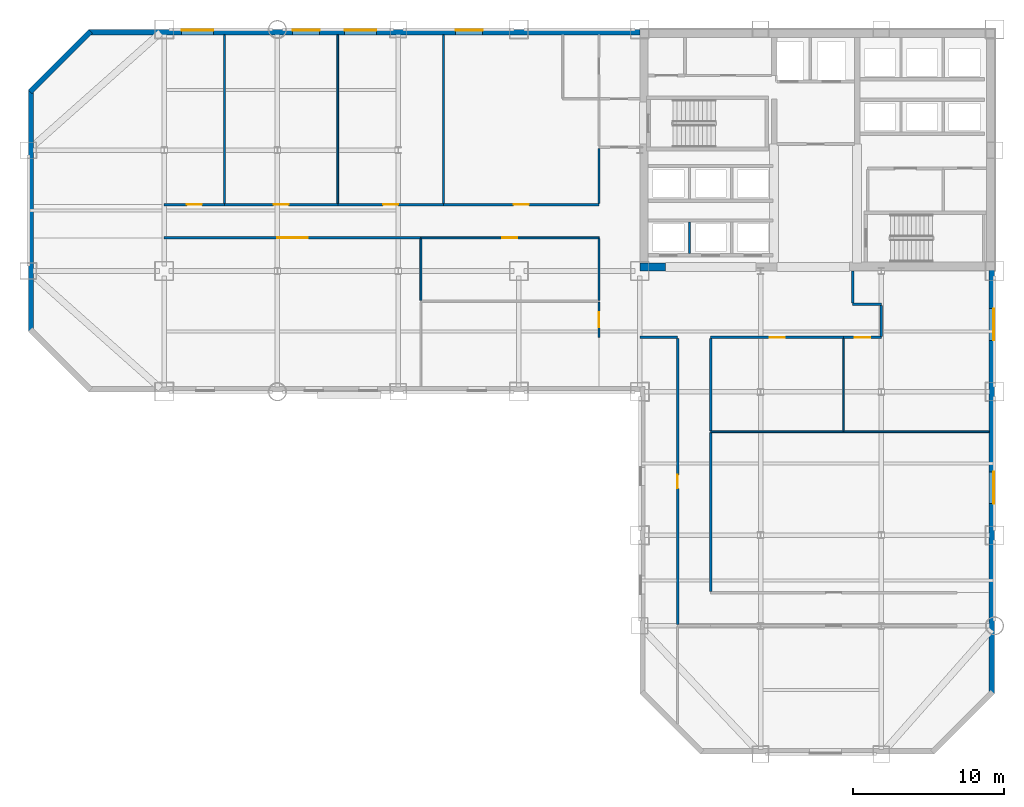
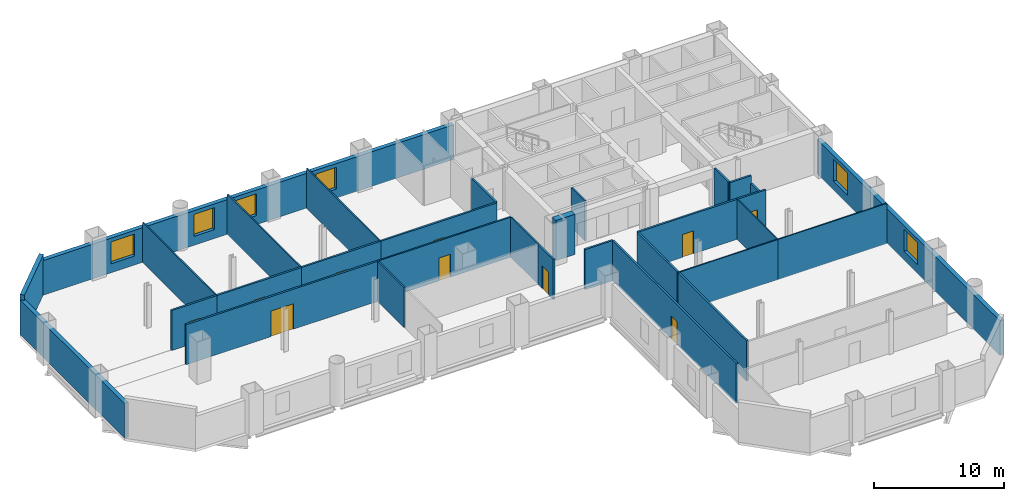
# One storey, part 5 of 9: 31 walls, 10 doors, 6 windows, 16 openings.
"""IFC4 building model written with IfcOpenShell, lengths in metres."""

from ifc_helpers import new_model, si_unit, direction, frame, frame_2d, origin, place, context, subcontext, project, spatial, rectangle, extrude, material, layer, layer_set, type_object, element, fill, save


model = new_model("IFC4")

# Units and contexts
model_context = context("Model", 3, precision=1e-05, world=origin(), true_north=direction((0.0, 1.0)))
body_context = subcontext(model_context, "Body", "Model", "MODEL_VIEW")
ifc_project = project(units=[si_unit("LENGTHUNIT", "METRE"), si_unit("AREAUNIT", "SQUARE_METRE"), si_unit("VOLUMEUNIT", "CUBIC_METRE"), si_unit("PLANEANGLEUNIT", "RADIAN"), si_unit("MASSUNIT", "GRAM", prefix="KILO")], contexts=[model_context])

# Site, building, storey
site_placement = place(None, origin())
site = spatial("IfcSite", under=ifc_project, at=site_placement, CompositionType="ELEMENT")
building_placement = place(site_placement, origin())
building = spatial("IfcBuilding", under=site, at=building_placement, Name="Qianrong Seaharbour Tower", CompositionType="ELEMENT")
storey_placement = place(building_placement, frame((0.0, 0.0, 80.199951171875)))
storey = spatial("IfcBuildingStorey", under=building, at=storey_placement, Name="L19", CompositionType="ELEMENT", Elevation=80.199951171875)

# Wall
ifc_material_1 = material(Name="Concrete C70/85", Category="concrete")
ifc_layer_1 = layer(ifc_material_1, 0.5400390625)
ifc_layer_set_1 = layer_set([ifc_layer_1], Name="Concrete C70/85")
wall_type_1 = type_object("IfcWallType", Name="WALL-CORE-540", PredefinedType="SHEAR", material=ifc_layer_set_1)
wall_1_placement = place(storey_placement, frame((40.5, 36.27001953125, 0.0), z_axis=(0.0, 0.0, 1.0), x_axis=(1.0, 0.0, 0.0)))
element("IfcWall", 1, at=wall_1_placement, inside=storey, type_object=wall_type_1, Name="L19 South Core Shear Wall S1", PredefinedType="SHEAR", context=body_context, shape_type="SweptSolid", body=[
    extrude(rectangle(XDim=1.699951171875, YDim=0.5400390625, at=frame_2d((0.85009765625, 0.0))), origin(), (0.0, 0.0, 1.0), 3.75),
])

# Wall, opening, door
ifc_material_2 = material(Name="Fire-rated acoustic gypsum board partition")
ifc_layer_2 = layer(ifc_material_2, 0.1650390625)
ifc_layer_set_2 = layer_set([ifc_layer_2], Name="Fire-rated acoustic gypsum board partition")
wall_type_2 = type_object("IfcWallType", Name="WALL-CORR-PART-165", PredefinedType="PARTITIONING", material=ifc_layer_set_2)
wall_2_placement = place(storey_placement, frame((9.0, 40.39990234375, 0.0), z_axis=(0.0, 0.0, 1.0), x_axis=(1.0, 0.0, 0.0)))
wall_2 = element("IfcWall", 2, at=wall_2_placement, inside=storey, type_object=wall_type_2, Name="L19 Interior Partition Wall 015", PredefinedType="PARTITIONING", context=body_context, shape_type="SweptSolid", body=[
    extrude(rectangle(XDim=4.0, YDim=0.1650390625, at=frame_2d((2.0, 0.0))), origin(), (0.0, 0.0, 1.0), 3.75),
])
opening_1_placement = place(wall_2_placement, frame((1.5, 0.0, 0.0)))
opening_1 = element("IfcOpeningElement", 3, at=opening_1_placement, cuts=wall_2, Name="Opening DO-01", PredefinedType="OPENING", context=body_context, shape_type="SweptSolid", body=[
    extrude(rectangle(XDim=1.0, YDim=2.14990234375, at=frame_2d((0.5, 1.074951171875))), frame((0.0, 0.092529296875, 0.0), z_axis=(0.0, -1.0, 0.0), x_axis=(1.0, 0.0, 0.0)), (0.0, 0.0, 1.0), 0.18505859375),
])
ifc_material_3 = material(Name="Acoustic timber and galvanized steel fire door assembly", Category="steel")
door_type_1 = type_object("IfcDoorType", Name="DOOR-OFFICE-1000x2150", OperationType="NOTDEFINED", PredefinedType="DOOR", material=ifc_material_3)
door_1_placement = place(opening_1_placement, origin())
door_1 = element("IfcDoor", 4, at=door_1_placement, inside=storey, type_object=door_type_1, Name="L19 Occupational Health Clinic 1 Door", OperationType="SINGLE_SWING_LEFT", OverallHeight=2.14990234375, OverallWidth=1.0, PredefinedType="DOOR", context=body_context, shape_type="SweptSolid", body=[
    extrude(rectangle(XDim=1.0, YDim=2.14990234375, at=frame_2d((0.5, 1.074951171875))), frame((0.0, 0.02490234375, 0.0), z_axis=(0.0, -1.0, 0.0), x_axis=(1.0, 0.0, 0.0)), (0.0, 0.0, 1.0), 0.050048828125),
])
fill(opening_1, door_1)

wall_3_placement = place(storey_placement, frame((13.0, 40.39990234375, 0.0), z_axis=(0.0, 0.0, 1.0), x_axis=(1.0, 0.0, 0.0)))
wall_3 = element("IfcWall", 5, at=wall_3_placement, inside=storey, type_object=wall_type_2, Name="L19 Interior Partition Wall 016", PredefinedType="PARTITIONING", context=body_context, shape_type="SweptSolid", body=[
    extrude(rectangle(XDim=7.5, YDim=0.1650390625, at=frame_2d((3.75, 0.0))), origin(), (0.0, 0.0, 1.0), 3.75),
])
opening_2_placement = place(wall_3_placement, frame((3.25, 0.0, 0.0)))
opening_2 = element("IfcOpeningElement", 6, at=opening_2_placement, cuts=wall_3, Name="Opening DO-01", PredefinedType="OPENING", context=body_context, shape_type="SweptSolid", body=[
    extrude(rectangle(XDim=1.0, YDim=2.14990234375, at=frame_2d((0.5, 1.074951171875))), frame((0.0, 0.092529296875, 0.0), z_axis=(0.0, -1.0, 0.0), x_axis=(1.0, 0.0, 0.0)), (0.0, 0.0, 1.0), 0.18505859375),
])
door_2_placement = place(opening_2_placement, origin())
door_2 = element("IfcDoor", 7, at=door_2_placement, inside=storey, type_object=door_type_1, Name="L19 Physiotherapy Room 2 Door", OperationType="SINGLE_SWING_RIGHT", OverallHeight=2.14990234375, OverallWidth=1.0, PredefinedType="DOOR", context=body_context, shape_type="SweptSolid", body=[
    extrude(rectangle(XDim=1.0, YDim=2.14990234375, at=frame_2d((0.5, 1.074951171875))), frame((0.0, 0.02490234375, 0.0), z_axis=(0.0, -1.0, 0.0), x_axis=(1.0, 0.0, 0.0)), (0.0, 0.0, 1.0), 0.050048828125),
])
fill(opening_2, door_2)

wall_4_placement = place(storey_placement, frame((20.5, 40.39990234375, 0.0), z_axis=(0.0, 0.0, 1.0), x_axis=(1.0, 0.0, 0.0)))
wall_4 = element("IfcWall", 8, at=wall_4_placement, inside=storey, type_object=wall_type_2, Name="L19 Interior Partition Wall 017", PredefinedType="PARTITIONING", context=body_context, shape_type="SweptSolid", body=[
    extrude(rectangle(XDim=7.0, YDim=0.1650390625, at=frame_2d((3.5, 0.0))), origin(), (0.0, 0.0, 1.0), 3.75),
])
opening_3_placement = place(wall_4_placement, frame((3.0, 0.0, 0.0)))
opening_3 = element("IfcOpeningElement", 9, at=opening_3_placement, cuts=wall_4, Name="Opening DO-01", PredefinedType="OPENING", context=body_context, shape_type="SweptSolid", body=[
    extrude(rectangle(XDim=1.0, YDim=2.14990234375, at=frame_2d((0.5, 1.074951171875))), frame((0.0, 0.092529296875, 0.0), z_axis=(0.0, -1.0, 0.0), x_axis=(1.0, 0.0, 0.0)), (0.0, 0.0, 1.0), 0.18505859375),
])
door_3_placement = place(opening_3_placement, origin())
door_3 = element("IfcDoor", 10, at=door_3_placement, inside=storey, type_object=door_type_1, Name="L19 First Aid Nursing Room 3 Door", OperationType="SINGLE_SWING_LEFT", OverallHeight=2.14990234375, OverallWidth=1.0, PredefinedType="DOOR", context=body_context, shape_type="SweptSolid", body=[
    extrude(rectangle(XDim=1.0, YDim=2.14990234375, at=frame_2d((0.5, 1.074951171875))), frame((0.0, 0.02490234375, 0.0), z_axis=(0.0, -1.0, 0.0), x_axis=(1.0, 0.0, 0.0)), (0.0, 0.0, 1.0), 0.050048828125),
])
fill(opening_3, door_3)

wall_5_placement = place(storey_placement, frame((27.5, 40.39990234375, 0.0), z_axis=(0.0, 0.0, 1.0), x_axis=(1.0, 0.0, 0.0)))
wall_5 = element("IfcWall", 11, at=wall_5_placement, inside=storey, type_object=wall_type_2, Name="L19 Interior Partition Wall 018", PredefinedType="PARTITIONING", context=body_context, shape_type="SweptSolid", body=[
    extrude(rectangle(XDim=10.300048828125, YDim=0.1650390625, at=frame_2d((5.14990234375, 0.0))), origin(), (0.0, 0.0, 1.0), 3.75),
])
opening_4_placement = place(wall_5_placement, frame((4.64990234375, 0.0, 0.0)))
opening_4 = element("IfcOpeningElement", 12, at=opening_4_placement, cuts=wall_5, Name="Opening DO-01", PredefinedType="OPENING", context=body_context, shape_type="SweptSolid", body=[
    extrude(rectangle(XDim=1.0, YDim=2.14990234375, at=frame_2d((0.5, 1.074951171875))), frame((0.0, 0.092529296875, 0.0), z_axis=(0.0, -1.0, 0.0), x_axis=(1.0, 0.0, 0.0)), (0.0, 0.0, 1.0), 0.18505859375),
])
door_4_placement = place(opening_4_placement, origin())
door_4 = element("IfcDoor", 13, at=door_4_placement, inside=storey, type_object=door_type_1, Name="L19 Case Coordinator Office 4 Door", OperationType="SINGLE_SWING_RIGHT", OverallHeight=2.14990234375, OverallWidth=1.0, PredefinedType="DOOR", context=body_context, shape_type="SweptSolid", body=[
    extrude(rectangle(XDim=1.0, YDim=2.14990234375, at=frame_2d((0.5, 1.074951171875))), frame((0.0, 0.02490234375, 0.0), z_axis=(0.0, -1.0, 0.0), x_axis=(1.0, 0.0, 0.0)), (0.0, 0.0, 1.0), 0.050048828125),
])
fill(opening_4, door_4)

wall_6_placement = place(storey_placement, frame((26.0, 38.199951171875, 0.0), z_axis=(0.0, 0.0, 1.0), x_axis=(-1.0, 0.0, 0.0)))
wall_6 = element("IfcWall", 14, at=wall_6_placement, inside=storey, type_object=wall_type_2, Name="L19 Interior Partition Wall 019", PredefinedType="PARTITIONING", context=body_context, shape_type="SweptSolid", body=[
    extrude(rectangle(XDim=17.0, YDim=0.1650390625, at=frame_2d((8.5, 0.0))), origin(), (0.0, 0.0, 1.0), 3.75),
])
opening_5_placement = place(wall_6_placement, frame((7.5, 0.0, 0.0)))
opening_5 = element("IfcOpeningElement", 15, at=opening_5_placement, cuts=wall_6, Name="Opening DA-01", PredefinedType="OPENING", context=body_context, shape_type="SweptSolid", body=[
    extrude(rectangle(XDim=2.0, YDim=2.39990234375, at=frame_2d((1.0, 1.199951171875))), frame((0.0, 0.092529296875, 0.0), z_axis=(0.0, -1.0, 0.0), x_axis=(1.0, 0.0, 0.0)), (0.0, 0.0, 1.0), 0.18505859375),
])
door_type_2 = type_object("IfcDoorType", Name="DOOR-AUD-PAIR-2000x2400", OperationType="DOUBLE_DOOR_SINGLE_SWING", PredefinedType="DOOR", material=ifc_material_3)
door_5_placement = place(opening_5_placement, origin())
door_5 = element("IfcDoor", 16, at=door_5_placement, inside=storey, type_object=door_type_2, Name="L19 Wellness Exercise Hall Door", OperationType="DOUBLE_DOOR_SINGLE_SWING", OverallHeight=2.39990234375, OverallWidth=2.0, PredefinedType="DOOR", context=body_context, shape_type="SweptSolid", body=[
    extrude(rectangle(XDim=2.0, YDim=2.39990234375, at=frame_2d((1.0, 1.199951171875))), frame((0.0, 0.02490234375, 0.0), z_axis=(0.0, -1.0, 0.0), x_axis=(1.0, 0.0, 0.0)), (0.0, 0.0, 1.0), 0.050048828125),
])
fill(opening_5, door_5)

# Wall
wall_7_placement = place(storey_placement, frame((37.800048828125, 40.474609375, 0.0), z_axis=(0.0, 0.0, 1.0), x_axis=(0.0, 1.0, 0.0)))
element("IfcWall", 17, at=wall_7_placement, inside=storey, type_object=wall_type_2, Name="L19 Interior Partition Wall 021", PredefinedType="PARTITIONING", context=body_context, shape_type="SweptSolid", body=[
    extrude(rectangle(XDim=3.65087890625, YDim=0.1650390625, at=frame_2d((1.825439453125, 0.0))), origin(), (0.0, 0.0, 1.0), 3.75),
])

# Wall, opening, door
wall_8_placement = place(storey_placement, frame((37.800048828125, 31.60009765625, 0.0), z_axis=(0.0, 0.0, 1.0), x_axis=(0.0, 1.0, 0.0)))
wall_8 = element("IfcWall", 18, at=wall_8_placement, inside=storey, type_object=wall_type_2, Name="L19 Interior Partition Wall 022", PredefinedType="PARTITIONING", context=body_context, shape_type="SweptSolid", body=[
    extrude(rectangle(XDim=2.343017578125, YDim=0.1650390625, at=frame_2d((1.17138671875, 0.0))), origin(), (0.0, 0.0, 1.0), 3.75),
])
opening_6_placement = place(wall_8_placement, frame((0.67138671875, 0.0, 0.0)))
opening_6 = element("IfcOpeningElement", 19, at=opening_6_placement, cuts=wall_8, Name="Opening DO-01", PredefinedType="OPENING", context=body_context, shape_type="SweptSolid", body=[
    extrude(rectangle(XDim=1.0, YDim=2.14990234375, at=frame_2d((0.5, 1.074951171875))), frame((0.0, 0.092529296875, 0.0), z_axis=(0.0, -1.0, 0.0), x_axis=(1.0, 0.0, 0.0)), (0.0, 0.0, 1.0), 0.18505859375),
])
door_6_placement = place(opening_6_placement, origin())
door_6 = element("IfcDoor", 20, at=door_6_placement, inside=storey, type_object=door_type_1, Name="L19 Medical Examination Room 1 Door", OperationType="SINGLE_SWING_LEFT", OverallHeight=2.14990234375, OverallWidth=1.0, PredefinedType="DOOR", context=body_context, shape_type="SweptSolid", body=[
    extrude(rectangle(XDim=1.0, YDim=2.14990234375, at=frame_2d((0.5, 1.074951171875))), frame((0.0, 0.02490234375, 0.0), z_axis=(0.0, -1.0, 0.0), x_axis=(1.0, 0.0, 0.0)), (0.0, 0.0, 1.0), 0.050048828125),
])
fill(opening_6, door_6)

wall_9_placement = place(storey_placement, frame((54.0, 31.60009765625, 0.0), z_axis=(0.0, 0.0, 1.0), x_axis=(-1.0, 0.0, 0.0)))
wall_9 = element("IfcWall", 21, at=wall_9_placement, inside=storey, type_object=wall_type_2, Name="L19 Interior Partition Wall 024", PredefinedType="PARTITIONING", context=body_context, shape_type="SweptSolid", body=[
    extrude(rectangle(XDim=8.800048828125, YDim=0.1650390625, at=frame_2d((4.39990234375, 0.0))), origin(), (0.0, 0.0, 1.0), 3.75),
])
opening_7_placement = place(wall_9_placement, frame((3.89990234375, 0.0, 0.0)))
opening_7 = element("IfcOpeningElement", 22, at=opening_7_placement, cuts=wall_9, Name="Opening DO-01", PredefinedType="OPENING", context=body_context, shape_type="SweptSolid", body=[
    extrude(rectangle(XDim=1.0, YDim=2.14990234375, at=frame_2d((0.5, 1.074951171875))), frame((0.0, 0.092529296875, 0.0), z_axis=(0.0, -1.0, 0.0), x_axis=(1.0, 0.0, 0.0)), (0.0, 0.0, 1.0), 0.18505859375),
])
door_7_placement = place(opening_7_placement, origin())
door_7 = element("IfcDoor", 23, at=door_7_placement, inside=storey, type_object=door_type_1, Name="L19 Wellness Room 1 Door", OperationType="SINGLE_SWING_LEFT", OverallHeight=2.14990234375, OverallWidth=1.0, PredefinedType="DOOR", context=body_context, shape_type="SweptSolid", body=[
    extrude(rectangle(XDim=1.0, YDim=2.14990234375, at=frame_2d((0.5, 1.074951171875))), frame((0.0, 0.02490234375, 0.0), z_axis=(0.0, -1.0, 0.0), x_axis=(1.0, 0.0, 0.0)), (0.0, 0.0, 1.0), 0.050048828125),
])
fill(opening_7, door_7)

# Walls
wall_10_placement = place(storey_placement, frame((54.60009765625, 36.0, 0.0), z_axis=(0.0, 0.0, 1.0), x_axis=(0.0, -1.0, 0.0)))
element("IfcWall", 24, at=wall_10_placement, inside=storey, type_object=wall_type_2, Name="L19 Interior Partition Wall 025", PredefinedType="PARTITIONING", context=body_context, shape_type="SweptSolid", body=[
    extrude(rectangle(XDim=2.12548828125, YDim=0.1650390625, at=frame_2d((1.062744140625, 0.0))), origin(), (0.0, 0.0, 1.0), 3.75),
])
wall_11_placement = place(storey_placement, frame((54.60009765625, 33.800048828125, 0.0), z_axis=(0.0, 0.0, 1.0), x_axis=(1.0, 0.0, 0.0)))
element("IfcWall", 25, at=wall_11_placement, inside=storey, type_object=wall_type_2, Name="L19 Interior Partition Wall 026", PredefinedType="PARTITIONING", context=body_context, shape_type="SweptSolid", body=[
    extrude(rectangle(XDim=1.89990234375, YDim=0.1650390625, at=frame_2d((0.949951171875, 0.0))), origin(), (0.0, 0.0, 1.0), 3.75),
])
wall_12_placement = place(storey_placement, frame((56.5, 33.7255859375, 0.0), z_axis=(0.0, 0.0, 1.0), x_axis=(0.0, -1.0, 0.0)))
element("IfcWall", 26, at=wall_12_placement, inside=storey, type_object=wall_type_2, Name="L19 Interior Partition Wall 027", PredefinedType="PARTITIONING", context=body_context, shape_type="SweptSolid", body=[
    extrude(rectangle(XDim=2.051025390625, YDim=0.1650390625, at=frame_2d((1.025390625, 0.0))), origin(), (0.0, 0.0, 1.0), 3.0419921875),
])

# Wall, opening, door
wall_13_placement = place(storey_placement, frame((56.5, 31.60009765625, 0.0), z_axis=(0.0, 0.0, 1.0), x_axis=(-1.0, 0.0, 0.0)))
wall_13 = element("IfcWall", 27, at=wall_13_placement, inside=storey, type_object=wall_type_2, Name="L19 Interior Partition Wall 028", PredefinedType="PARTITIONING", context=body_context, shape_type="SweptSolid", body=[
    extrude(rectangle(XDim=2.5, YDim=0.1650390625, at=frame_2d((1.25, 0.0))), origin(), (0.0, 0.0, 1.0), 3.75),
])
opening_8_placement = place(wall_13_placement, frame((0.75, 0.0, 0.0)))
opening_8 = element("IfcOpeningElement", 28, at=opening_8_placement, cuts=wall_13, Name="Opening DO-01", PredefinedType="OPENING", context=body_context, shape_type="SweptSolid", body=[
    extrude(rectangle(XDim=1.0, YDim=2.14990234375, at=frame_2d((0.5, 1.074951171875))), frame((0.0, 0.092529296875, 0.0), z_axis=(0.0, -1.0, 0.0), x_axis=(1.0, 0.0, 0.0)), (0.0, 0.0, 1.0), 0.18505859375),
])
door_8_placement = place(opening_8_placement, origin())
door_8 = element("IfcDoor", 29, at=door_8_placement, inside=storey, type_object=door_type_1, Name="L19 Health Director Office 2 Door", OperationType="SINGLE_SWING_RIGHT", OverallHeight=2.14990234375, OverallWidth=1.0, PredefinedType="DOOR", context=body_context, shape_type="SweptSolid", body=[
    extrude(rectangle(XDim=1.0, YDim=2.14990234375, at=frame_2d((0.5, 1.074951171875))), frame((0.0, 0.02490234375, 0.0), z_axis=(0.0, -1.0, 0.0), x_axis=(1.0, 0.0, 0.0)), (0.0, 0.0, 1.0), 0.050048828125),
])
fill(opening_8, door_8)

# Walls
wall_14_placement = place(storey_placement, frame((43.0, 31.60009765625, 0.0), z_axis=(0.0, 0.0, 1.0), x_axis=(-1.0, 0.0, 0.0)))
element("IfcWall", 30, at=wall_14_placement, inside=storey, type_object=wall_type_2, Name="L19 Interior Partition Wall 029", PredefinedType="PARTITIONING", context=body_context, shape_type="SweptSolid", body=[
    extrude(rectangle(XDim=2.5, YDim=0.1650390625, at=frame_2d((1.25, 0.0))), origin(), (0.0, 0.0, 1.0), 3.75),
])
wall_15_placement = place(storey_placement, frame((45.199951171875, 25.302978515625, 0.0), z_axis=(0.0, 0.0, 1.0), x_axis=(0.0, -1.0, 0.0)))
element("IfcWall", 31, at=wall_15_placement, inside=storey, type_object=wall_type_2, Name="L19 Interior Partition Wall 031", PredefinedType="PARTITIONING", context=body_context, shape_type="SweptSolid", body=[
    extrude(rectangle(XDim=10.528564453125, YDim=0.1650390625, at=frame_2d((5.26416015625, 0.0))), origin(), (0.0, 0.0, 1.0), 3.75),
])
wall_16_placement = place(storey_placement, frame((45.199951171875, 31.525390625, 0.0), z_axis=(0.0, 0.0, 1.0), x_axis=(0.0, -1.0, 0.0)))
element("IfcWall", 32, at=wall_16_placement, inside=storey, type_object=wall_type_2, Name="L19 Interior Partition Wall 032", PredefinedType="PARTITIONING", context=body_context, shape_type="SweptSolid", body=[
    extrude(rectangle(XDim=6.12841796875, YDim=0.1650390625, at=frame_2d((3.064208984375, 0.0))), origin(), (0.0, 0.0, 1.0), 3.75),
])

# Wall, opening, door
wall_17_placement = place(storey_placement, frame((43.0, 12.574462890625, 0.0), z_axis=(0.0, 0.0, 1.0), x_axis=(0.0, 1.0, 0.0)))
wall_17 = element("IfcWall", 33, at=wall_17_placement, inside=storey, type_object=wall_type_2, Name="L19 Interior Partition Wall 033", PredefinedType="PARTITIONING", context=body_context, shape_type="SweptSolid", body=[
    extrude(rectangle(XDim=18.950927734375, YDim=0.1650390625, at=frame_2d((9.4755859375, 0.0))), origin(), (0.0, 0.0, 1.0), 3.75),
])
opening_9_placement = place(wall_17_placement, frame((9.025390625, 0.0, 0.0)))
opening_9 = element("IfcOpeningElement", 34, at=opening_9_placement, cuts=wall_17, Name="Opening DS-01", PredefinedType="OPENING", context=body_context, shape_type="SweptSolid", body=[
    extrude(rectangle(XDim=0.89990234375, YDim=2.14990234375, at=frame_2d((0.449951171875, 1.074951171875))), frame((0.0, 0.092529296875, 0.0), z_axis=(0.0, -1.0, 0.0), x_axis=(1.0, 0.0, 0.0)), (0.0, 0.0, 1.0), 0.18505859375),
])
door_type_3 = type_object("IfcDoorType", Name="DOOR-STORE-900x2150", OperationType="NOTDEFINED", PredefinedType="DOOR", material=ifc_material_3)
door_9_placement = place(opening_9_placement, origin())
door_9 = element("IfcDoor", 35, at=door_9_placement, inside=storey, type_object=door_type_3, Name="L19 Clinical Dispensary Store Door", OperationType="SINGLE_SWING_LEFT", OverallHeight=2.14990234375, OverallWidth=0.89990234375, PredefinedType="DOOR", context=body_context, shape_type="SweptSolid", body=[
    extrude(rectangle(XDim=0.89990234375, YDim=2.14990234375, at=frame_2d((0.449951171875, 1.074951171875))), frame((0.0, 0.02490234375, 0.0), z_axis=(0.0, -1.0, 0.0), x_axis=(1.0, 0.0, 0.0)), (0.0, 0.0, 1.0), 0.050048828125),
])
fill(opening_9, door_9)

# Walls
ifc_material_4 = material(Name="Demountable aluminium-framed acoustic office partition", Category="aluminium")
ifc_layer_3 = layer(ifc_material_4, 0.110107421875)
ifc_layer_set_3 = layer_set([ifc_layer_3], Name="Demountable aluminium-framed acoustic office partition")
wall_type_3 = type_object("IfcWallType", Name="WALL-DEMOUNT-110", PredefinedType="MOVABLE", material=ifc_layer_set_3)
wall_18_placement = place(storey_placement, frame((45.199951171875, 25.35009765625, 0.0), z_axis=(0.0, 0.0, 1.0), x_axis=(1.0, 0.0, 0.0)))
element("IfcWall", 36, at=wall_18_placement, inside=storey, type_object=wall_type_3, Name="L19 Interior Partition Wall 037", PredefinedType="MOVABLE", context=body_context, shape_type="SweptSolid", body=[
    extrude(rectangle(XDim=8.800048828125, YDim=0.110107421875, at=frame_2d((4.39990234375, 0.0))), origin(), (0.0, 0.0, 1.0), 3.75),
])
wall_19_placement = place(storey_placement, frame((54.0, 25.35009765625, 0.0), z_axis=(0.0, 0.0, 1.0), x_axis=(1.0, 0.0, 0.0)))
element("IfcWall", 37, at=wall_19_placement, inside=storey, type_object=wall_type_3, Name="L19 Interior Partition Wall 038", PredefinedType="MOVABLE", context=body_context, shape_type="SweptSolid", body=[
    extrude(rectangle(XDim=9.64794921875, YDim=0.110107421875, at=frame_2d((4.823974609375, 0.0))), origin(), (0.0, 0.0, 1.0), 3.75),
])
wall_20_placement = place(storey_placement, frame((54.0, 31.525390625, 0.0), z_axis=(0.0, 0.0, 1.0), x_axis=(0.0, -1.0, 0.0)))
element("IfcWall", 38, at=wall_20_placement, inside=storey, type_object=wall_type_3, Name="L19 Interior Partition Wall 039", PredefinedType="MOVABLE", context=body_context, shape_type="SweptSolid", body=[
    extrude(rectangle(XDim=6.12841796875, YDim=0.110107421875, at=frame_2d((3.064208984375, 0.0))), origin(), (0.0, 0.0, 1.0), 3.75),
])
for number, where, z_axis, x_axis, name in (
    (39, (13.0, 51.64794921875, 0.0), (0.0, 0.0, 1.0), (0.0, -1.0, 0.0), "L19 Interior Partition Wall 040"),
    (40, (20.5, 51.64794921875, 0.0), (0.0, 0.0, 1.0), (0.0, -1.0, 0.0), "L19 Interior Partition Wall 041"),
    (41, (27.5, 51.64794921875, 0.0), (0.0, 0.0, 1.0), (0.0, -1.0, 0.0), "L19 Interior Partition Wall 042"),
):
    element("IfcWall", number, at=place(storey_placement, frame(where, z_axis=z_axis, x_axis=x_axis)), inside=storey, type_object=wall_type_3, Name=name, PredefinedType="MOVABLE", context=body_context, shape_type="SweptSolid", body=[
        extrude(rectangle(XDim=11.17333984375, YDim=0.110107421875, at=frame_2d((5.586669921875, 0.0))), origin(), (0.0, 0.0, 1.0), 3.75),
    ])
ifc_material_5 = material(Name="Unitised red brick on Precast concrete C45/55", Category="masonry")
ifc_layer_4 = layer(ifc_material_5, 0.360107421875)
ifc_layer_set_4 = layer_set([ifc_layer_4], Name="Unitised red brick on Precast concrete C45/55")
wall_type_4 = type_object("IfcWallType", Name="WALL-EXT-BRICK-RED-360", PredefinedType="SOLIDWALL", material=ifc_layer_set_4)
wall_21_placement = place(storey_placement, frame((0.179931640625, 32.0, 0.0), z_axis=(0.0, 0.0, 1.0), x_axis=(0.0, 1.0, 0.0)))
element("IfcWall", 42, at=wall_21_placement, inside=storey, type_object=wall_type_4, Name="L19 Exterior Masonry Facade Wall WEST_TIP", PredefinedType="SOLIDWALL", context=body_context, shape_type="SweptSolid", body=[
    extrude(rectangle(XDim=16.0, YDim=0.360107421875, at=frame_2d((8.0, 0.0))), origin(), (0.0, 0.0, 1.0), 3.25),
])
wall_22_placement = place(storey_placement, frame((0.127197265625, 47.872802734375, 0.0), z_axis=(0.0, 0.0, 1.0), x_axis=(0.707106781187, 0.707106781187, 0.0)))
element("IfcWall", 43, at=wall_22_placement, inside=storey, type_object=wall_type_4, Name="L19 Exterior Masonry Facade Wall E04", PredefinedType="SOLIDWALL", context=body_context, shape_type="SweptSolid", body=[
    extrude(rectangle(XDim=5.65673828125, YDim=0.360107421875, at=frame_2d((2.828369140625, 0.0))), origin(), (0.0, 0.0, 1.0), 3.75),
])

# Wall, openings, windows
wall_23_placement = place(storey_placement, frame((4.0, 51.820068359375, 0.0), z_axis=(0.0, 0.0, 1.0), x_axis=(1.0, 0.0, 0.0)))
wall_23 = element("IfcWall", 44, at=wall_23_placement, inside=storey, type_object=wall_type_4, Name="L19 Exterior Masonry Facade Wall NORTH_WING", PredefinedType="SOLIDWALL", context=body_context, shape_type="SweptSolid", body=[
    extrude(rectangle(XDim=36.52001953125, YDim=0.360107421875, at=frame_2d((18.260009765625, 0.0))), origin(), (0.0, 0.0, 1.0), 3.25),
])
opening_10_placement = place(wall_23_placement, frame((6.14990234375, 0.0, 0.85009765625)))
opening_10 = element("IfcOpeningElement", 45, at=opening_10_placement, cuts=wall_23, Name="Opening WN-06", PredefinedType="OPENING", context=body_context, shape_type="SweptSolid", body=[
    extrude(rectangle(XDim=2.10009765625, YDim=2.050048828125, at=frame_2d((1.050048828125, 1.02490234375))), frame((0.0, 0.18994140625, 0.0), z_axis=(0.0, -1.0, 0.0), x_axis=(1.0, 0.0, 0.0)), (0.0, 0.0, 1.0), 0.380126953125),
])
opening_11_placement = place(wall_23_placement, frame((13.5, 0.0, 0.85009765625)))
opening_11 = element("IfcOpeningElement", 46, at=opening_11_placement, cuts=wall_23, Name="Opening WN-05", PredefinedType="OPENING", context=body_context, shape_type="SweptSolid", body=[
    extrude(rectangle(XDim=1.800048828125, YDim=2.050048828125, at=frame_2d((0.89990234375, 1.02490234375))), frame((0.0, 0.18994140625, 0.0), z_axis=(0.0, -1.0, 0.0), x_axis=(1.0, 0.0, 0.0)), (0.0, 0.0, 1.0), 0.380126953125),
])
opening_12_placement = place(wall_23_placement, frame((16.949951171875, 0.0, 0.85009765625)))
opening_12 = element("IfcOpeningElement", 47, at=opening_12_placement, cuts=wall_23, Name="Opening WN-06", PredefinedType="OPENING", context=body_context, shape_type="SweptSolid", body=[
    extrude(rectangle(XDim=2.10009765625, YDim=2.050048828125, at=frame_2d((1.050048828125, 1.02490234375))), frame((0.0, 0.18994140625, 0.0), z_axis=(0.0, -1.0, 0.0), x_axis=(1.0, 0.0, 0.0)), (0.0, 0.0, 1.0), 0.380126953125),
])
opening_13_placement = place(wall_23_placement, frame((24.300048828125, 0.0, 0.85009765625)))
opening_13 = element("IfcOpeningElement", 48, at=opening_13_placement, cuts=wall_23, Name="Opening WN-05", PredefinedType="OPENING", context=body_context, shape_type="SweptSolid", body=[
    extrude(rectangle(XDim=1.800048828125, YDim=2.050048828125, at=frame_2d((0.89990234375, 1.02490234375))), frame((0.0, 0.18994140625, 0.0), z_axis=(0.0, -1.0, 0.0), x_axis=(1.0, 0.0, 0.0)), (0.0, 0.0, 1.0), 0.380126953125),
])
ifc_material_6 = material(Name="Insulated low-e double glazing in thermally broken aluminium 6063-T6 frame", Category="aluminium")
window_type_1 = type_object("IfcWindowType", Name="WIN-PUNCH-1800x2050", PartitioningType="TRIPLE_PANEL_VERTICAL", PredefinedType="WINDOW", material=ifc_material_6)
window_1_placement = place(opening_11_placement, origin())
window_1 = element("IfcWindow", 49, at=window_1_placement, inside=storey, type_object=window_type_1, Name="L19 Deep-Set Punched Window 05.04", OverallHeight=2.050048828125, OverallWidth=1.800048828125, PartitioningType="TRIPLE_PANEL_VERTICAL", PredefinedType="WINDOW", context=body_context, shape_type="SweptSolid", body=[
    extrude(rectangle(XDim=1.800048828125, YDim=2.050048828125, at=frame_2d((0.89990234375, 1.02490234375))), frame((0.0, 0.150146484375, 0.0), z_axis=(0.0, -1.0, 0.0), x_axis=(1.0, 0.0, 0.0)), (0.0, 0.0, 1.0), 0.06005859375),
])
fill(opening_11, window_1)
window_2_placement = place(opening_13_placement, origin())
window_2 = element("IfcWindow", 50, at=window_2_placement, inside=storey, type_object=window_type_1, Name="L19 Deep-Set Punched Window 05.07", OverallHeight=2.050048828125, OverallWidth=1.800048828125, PartitioningType="TRIPLE_PANEL_VERTICAL", PredefinedType="WINDOW", context=body_context, shape_type="SweptSolid", body=[
    extrude(rectangle(XDim=1.800048828125, YDim=2.050048828125, at=frame_2d((0.89990234375, 1.02490234375))), frame((0.0, 0.150146484375, 0.0), z_axis=(0.0, -1.0, 0.0), x_axis=(1.0, 0.0, 0.0)), (0.0, 0.0, 1.0), 0.06005859375),
])
fill(opening_13, window_2)
window_type_2 = type_object("IfcWindowType", Name="WIN-PUNCH-2100x2050", PartitioningType="TRIPLE_PANEL_VERTICAL", PredefinedType="WINDOW", material=ifc_material_6)
window_3_placement = place(opening_10_placement, origin())
window_3 = element("IfcWindow", 51, at=window_3_placement, inside=storey, type_object=window_type_2, Name="L19 Deep-Set Punched Window 05.02", OverallHeight=2.050048828125, OverallWidth=2.10009765625, PartitioningType="TRIPLE_PANEL_VERTICAL", PredefinedType="WINDOW", context=body_context, shape_type="SweptSolid", body=[
    extrude(rectangle(XDim=2.10009765625, YDim=2.050048828125, at=frame_2d((1.050048828125, 1.02490234375))), frame((0.0, 0.150146484375, 0.0), z_axis=(0.0, -1.0, 0.0), x_axis=(1.0, 0.0, 0.0)), (0.0, 0.0, 1.0), 0.06005859375),
])
fill(opening_10, window_3)
window_4_placement = place(opening_12_placement, origin())
window_4 = element("IfcWindow", 52, at=window_4_placement, inside=storey, type_object=window_type_2, Name="L19 Deep-Set Punched Window 05.05", OverallHeight=2.050048828125, OverallWidth=2.10009765625, PartitioningType="TRIPLE_PANEL_VERTICAL", PredefinedType="WINDOW", context=body_context, shape_type="SweptSolid", body=[
    extrude(rectangle(XDim=2.10009765625, YDim=2.050048828125, at=frame_2d((1.050048828125, 1.02490234375))), frame((0.0, 0.150146484375, 0.0), z_axis=(0.0, -1.0, 0.0), x_axis=(1.0, 0.0, 0.0)), (0.0, 0.0, 1.0), 0.06005859375),
])
fill(opening_12, window_4)

wall_24_placement = place(storey_placement, frame((63.820068359375, 36.050048828125, 0.0), z_axis=(0.0, 0.0, 1.0), x_axis=(0.0, -1.0, 0.0)))
wall_24 = element("IfcWall", 53, at=wall_24_placement, inside=storey, type_object=wall_type_4, Name="L19 Exterior Masonry Facade Wall EAST_WING", PredefinedType="SOLIDWALL", context=body_context, shape_type="SweptSolid", body=[
    extrude(rectangle(XDim=28.050048828125, YDim=0.360107421875, at=frame_2d((14.02490234375, 0.0))), origin(), (0.0, 0.0, 1.0), 3.25),
])
opening_14_placement = place(wall_24_placement, frame((2.550048828125, 0.0, 0.85009765625)))
opening_14 = element("IfcOpeningElement", 54, at=opening_14_placement, cuts=wall_24, Name="Opening WN-06", PredefinedType="OPENING", context=body_context, shape_type="SweptSolid", body=[
    extrude(rectangle(XDim=2.10009765625, YDim=2.050048828125, at=frame_2d((1.050048828125, 1.02490234375))), frame((0.0, 0.18994140625, 0.0), z_axis=(0.0, -1.0, 0.0), x_axis=(1.0, 0.0, 0.0)), (0.0, 0.0, 1.0), 0.380126953125),
])
opening_15_placement = place(wall_24_placement, frame((13.35009765625, 0.0, 0.85009765625)))
opening_15 = element("IfcOpeningElement", 55, at=opening_15_placement, cuts=wall_24, Name="Opening WN-06", PredefinedType="OPENING", context=body_context, shape_type="SweptSolid", body=[
    extrude(rectangle(XDim=2.10009765625, YDim=2.050048828125, at=frame_2d((1.050048828125, 1.02490234375))), frame((0.0, 0.18994140625, 0.0), z_axis=(0.0, -1.0, 0.0), x_axis=(1.0, 0.0, 0.0)), (0.0, 0.0, 1.0), 0.380126953125),
])
window_5_placement = place(opening_14_placement, origin())
window_5 = element("IfcWindow", 56, at=window_5_placement, inside=storey, type_object=window_type_2, Name="L19 Deep-Set Punched Window 06.01", OverallHeight=2.050048828125, OverallWidth=2.10009765625, PartitioningType="TRIPLE_PANEL_VERTICAL", PredefinedType="WINDOW", context=body_context, shape_type="SweptSolid", body=[
    extrude(rectangle(XDim=2.10009765625, YDim=2.050048828125, at=frame_2d((1.050048828125, 1.02490234375))), frame((0.0, 0.150146484375, 0.0), z_axis=(0.0, -1.0, 0.0), x_axis=(1.0, 0.0, 0.0)), (0.0, 0.0, 1.0), 0.06005859375),
])
fill(opening_14, window_5)
window_6_placement = place(opening_15_placement, origin())
window_6 = element("IfcWindow", 57, at=window_6_placement, inside=storey, type_object=window_type_2, Name="L19 Deep-Set Punched Window 06.04", OverallHeight=2.050048828125, OverallWidth=2.10009765625, PartitioningType="TRIPLE_PANEL_VERTICAL", PredefinedType="WINDOW", context=body_context, shape_type="SweptSolid", body=[
    extrude(rectangle(XDim=2.10009765625, YDim=2.050048828125, at=frame_2d((1.050048828125, 1.02490234375))), frame((0.0, 0.150146484375, 0.0), z_axis=(0.0, -1.0, 0.0), x_axis=(1.0, 0.0, 0.0)), (0.0, 0.0, 1.0), 0.06005859375),
])
fill(opening_15, window_6)

# Wall
ifc_material_7 = material(Name="Fire-rated gypsum board on steel studs", Category="steel")
ifc_layer_5 = layer(ifc_material_7, 0.14990234375)
ifc_layer_set_5 = layer_set([ifc_layer_5], Name="Fire-rated gypsum board on steel studs")
wall_type_5 = type_object("IfcWallType", Name="WALL-SHAFT-DIV-150", PredefinedType="PARTITIONING", material=ifc_layer_set_5)
wall_25_placement = place(storey_placement, frame((43.800048828125, 37.159912109375, 0.0), z_axis=(0.0, 0.0, 1.0), x_axis=(0.0, 1.0, 0.0)))
element("IfcWall", 58, at=wall_25_placement, inside=storey, type_object=wall_type_5, Name="L19 P1 Lift Hoistway Divider 2", PredefinedType="PARTITIONING", context=body_context, shape_type="SweptSolid", body=[
    extrude(rectangle(XDim=2.080078125, YDim=0.14990234375, at=frame_2d((1.0400390625, 0.0))), origin(), (0.0, 0.0, 1.0), 3.75),
])

# Wall, opening, door
ifc_material_8 = material(Name="Water-resistant cement board sanitary partition")
ifc_layer_6 = layer(ifc_material_8, 0.1298828125)
ifc_layer_set_6 = layer_set([ifc_layer_6], Name="Water-resistant cement board sanitary partition")
wall_type_6 = type_object("IfcWallType", Name="WALL-WET-PART-130", PredefinedType="PARTITIONING", material=ifc_layer_set_6)
wall_26_placement = place(storey_placement, frame((37.800048828125, 38.199951171875, 0.0), z_axis=(0.0, 0.0, 1.0), x_axis=(-1.0, 0.0, 0.0)))
wall_26 = element("IfcWall", 59, at=wall_26_placement, inside=storey, type_object=wall_type_6, Name="L19 Interior Partition Wall 020", PredefinedType="PARTITIONING", context=body_context, shape_type="SweptSolid", body=[
    extrude(rectangle(XDim=11.800048828125, YDim=0.1298828125, at=frame_2d((5.89990234375, 0.0))), origin(), (0.0, 0.0, 1.0), 3.75),
])
opening_16_placement = place(wall_26_placement, frame((5.39990234375, 0.0, 0.0)))
opening_16 = element("IfcOpeningElement", 60, at=opening_16_placement, cuts=wall_26, Name="Opening DO-01", PredefinedType="OPENING", context=body_context, shape_type="SweptSolid", body=[
    extrude(rectangle(XDim=1.0, YDim=2.14990234375, at=frame_2d((0.5, 1.074951171875))), frame((0.0, 0.074951171875, 0.0), z_axis=(0.0, -1.0, 0.0), x_axis=(1.0, 0.0, 0.0)), (0.0, 0.0, 1.0), 0.14990234375),
])
door_10_placement = place(opening_16_placement, origin())
door_10 = element("IfcDoor", 61, at=door_10_placement, inside=storey, type_object=door_type_1, Name="L19 Wet Pantry 2 Door", OperationType="SINGLE_SWING_RIGHT", OverallHeight=2.14990234375, OverallWidth=1.0, PredefinedType="DOOR", context=body_context, shape_type="SweptSolid", body=[
    extrude(rectangle(XDim=1.0, YDim=2.14990234375, at=frame_2d((0.5, 1.074951171875))), frame((0.0, 0.02490234375, 0.0), z_axis=(0.0, -1.0, 0.0), x_axis=(1.0, 0.0, 0.0)), (0.0, 0.0, 1.0), 0.050048828125),
])
fill(opening_16, door_10)

# Walls
wall_27_placement = place(storey_placement, frame((37.800048828125, 34.056884765625, 0.0), z_axis=(0.0, 0.0, 1.0), x_axis=(0.0, 1.0, 0.0)))
element("IfcWall", 62, at=wall_27_placement, inside=storey, type_object=wall_type_6, Name="L19 Interior Partition Wall 023", PredefinedType="PARTITIONING", context=body_context, shape_type="SweptSolid", body=[
    extrude(rectangle(XDim=4.086181640625, YDim=0.1298828125, at=frame_2d((2.04296875, 0.0))), origin(), (0.0, 0.0, 1.0), 3.75),
])
wall_28_placement = place(storey_placement, frame((26.0, 38.12548828125, 0.0), z_axis=(0.0, 0.0, 1.0), x_axis=(0.0, -1.0, 0.0)))
element("IfcWall", 63, at=wall_28_placement, inside=storey, type_object=wall_type_6, Name="L19 Interior Partition Wall 044", PredefinedType="PARTITIONING", context=body_context, shape_type="SweptSolid", body=[
    extrude(rectangle(XDim=4.068603515625, YDim=0.1298828125, at=frame_2d((2.0341796875, 0.0))), origin(), (0.0, 0.0, 1.0), 3.75),
])

save(model, "model.ifc")
